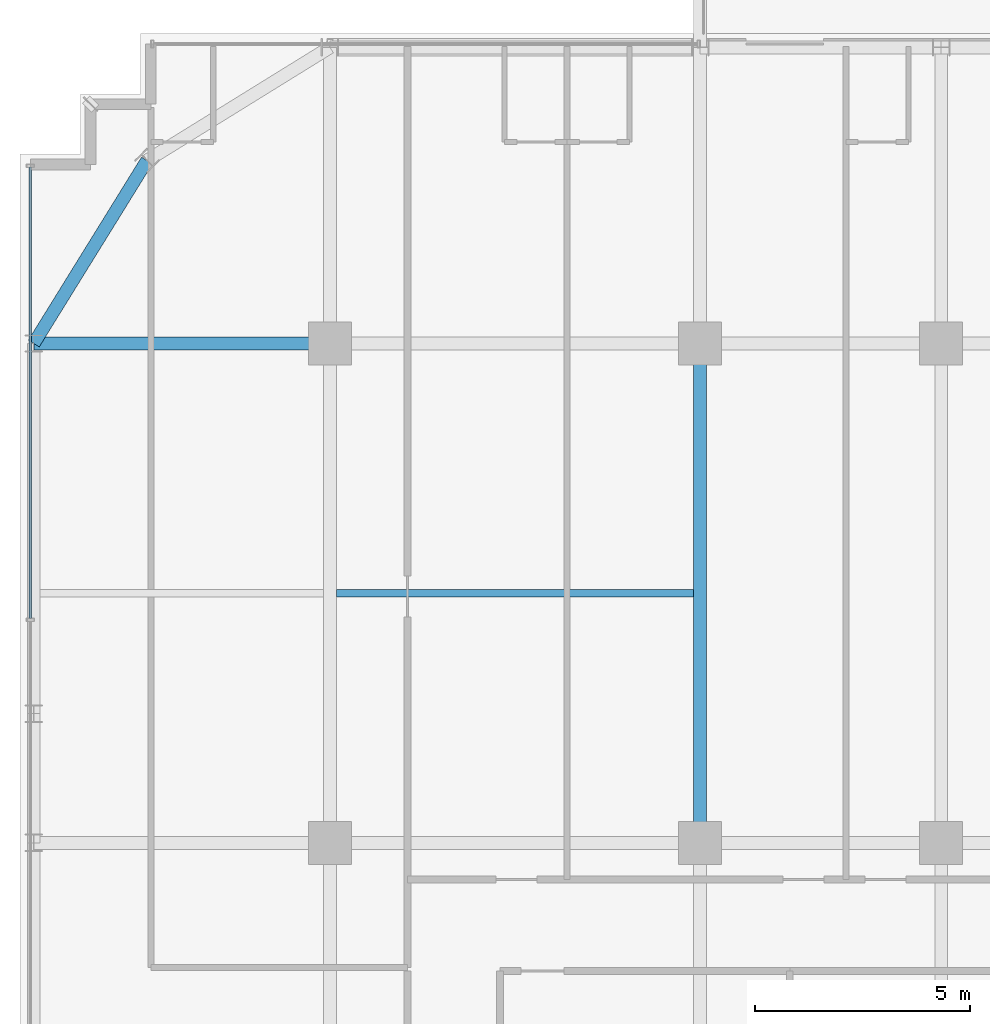
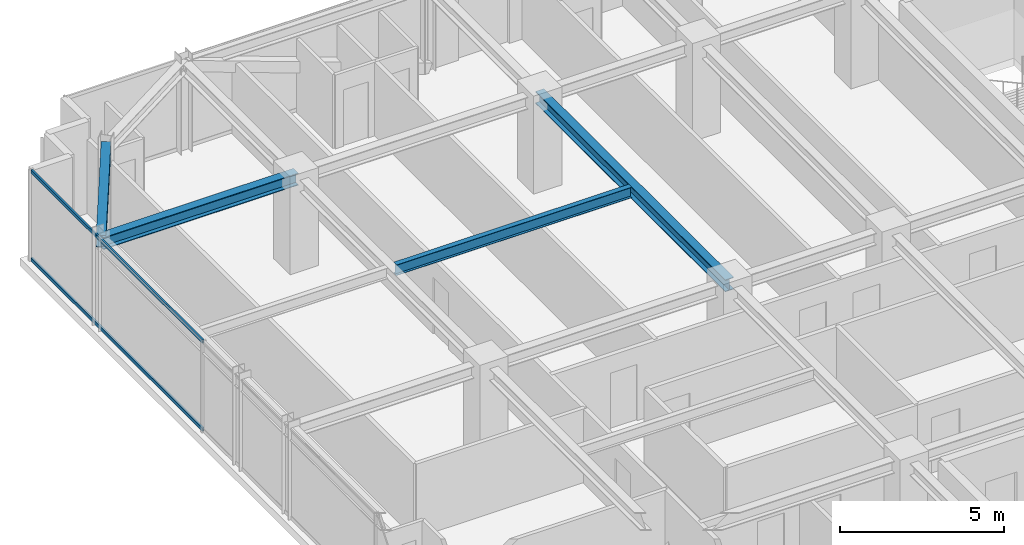
# One storey, part 19 of 43: 4 beams, 2 members, 1 element without a shape of its own.
"""IFC4 building model written with IfcOpenShell, lengths in metres."""

from ifc_helpers import new_model, si_unit, direction, frame, origin, origin_2d, place, context, subcontext, project, spatial, hollow_rectangle, i_section, extrude, source, transform, mapped, material, material_profile, profile_set, type_object, element, aggregate, save


model = new_model("IFC4")

# Units and contexts
model_context = context("Model", 3, precision=1e-05, world=origin(), true_north=direction((0.0, 1.0)))
body_context = subcontext(model_context, "Body", "Model", "MODEL_VIEW")
ifc_project = project(units=[si_unit("LENGTHUNIT", "METRE"), si_unit("AREAUNIT", "SQUARE_METRE"), si_unit("VOLUMEUNIT", "CUBIC_METRE"), si_unit("PLANEANGLEUNIT", "RADIAN"), si_unit("MASSUNIT", "GRAM", prefix="KILO")], contexts=[model_context])

# Site, building, storey
site_placement = place(None, origin())
site = spatial("IfcSite", under=ifc_project, at=site_placement, CompositionType="ELEMENT")
building_placement = place(site_placement, origin())
building = spatial("IfcBuilding", under=site, at=building_placement, Name="Nahalor Promenade Grand Hotel", CompositionType="ELEMENT")
storey_placement = place(building_placement, frame((0.0, 0.0, 204.89990234375)))
storey = spatial("IfcBuildingStorey", under=building, at=storey_placement, Name="L52", CompositionType="ELEMENT", Elevation=204.89990234375)

# Beams
ifc_material_1 = material(Name="Steel S355JR", Category="steel")
ifc_material_profile_1 = material_profile(ifc_material_1, i_section(OverallWidth=0.3, OverallDepth=0.45, WebThickness=0.014, FlangeThickness=0.026, at=origin_2d()), Name="HEB 450")
ifc_profile_set_1 = profile_set([ifc_material_profile_1], Name="Steel S355JR")
beam_type_1 = type_object("IfcBeamType", Name="Beam-Spandrel-HEB450", PredefinedType="SPANDREL", material=ifc_profile_set_1)
shared_shape_1 = source(origin(), body_context, "Body", "SweptSolid", [
    extrude(i_section(OverallWidth=0.3, OverallDepth=0.45, WebThickness=0.014, FlangeThickness=0.026, at=origin_2d()), origin(), (0.0, 0.0, 1.0), 4.997802734375),
])
beam_1_placement = place(storey_placement, frame((-21.25, 21.25, 3.18505859375), z_axis=(-0.526199891161, -0.850360908404, 0.0), x_axis=(0.850360908404, -0.526199891161, 0.0)))
element("IfcBeam", 1, at=beam_1_placement, inside=storey, type_object=beam_type_1, Name="BM-L52-SPC-NW-2", PredefinedType="SPANDREL", context=body_context, shape_type="MappedRepresentation", body=[
    mapped(shared_shape_1, transform((0.0, 0.0, 0.0), scale=1.0)),
])
ifc_material_profile_2 = material_profile(ifc_material_1, i_section(OverallWidth=0.3, OverallDepth=0.45, WebThickness=0.014, FlangeThickness=0.026, at=origin_2d()), Name="HEB 450")
ifc_profile_set_2 = profile_set([ifc_material_profile_2], Name="Steel S355JR")
beam_type_2 = type_object("IfcBeamType", Name="Beam-Girder-HEB450", PredefinedType="BEAM", material=ifc_profile_set_2)
shared_shape_2 = source(origin(), body_context, "Body", "SweptSolid", [
    extrude(i_section(OverallWidth=0.3, OverallDepth=0.45, WebThickness=0.014, FlangeThickness=0.026, at=origin_2d()), origin(), (0.0, 0.0, 1.0), 6.8798828125),
])
beam_2_placement = place(storey_placement, frame((-23.8798828125, 17.0, 3.18505859375), z_axis=(1.0, 0.0, 0.0), x_axis=(0.0, 1.0, 0.0)))
element("IfcBeam", 2, at=beam_2_placement, inside=storey, type_object=beam_type_2, Name="BM-L52-GX-3-0", PredefinedType="BEAM", context=body_context, shape_type="MappedRepresentation", body=[
    mapped(shared_shape_2, transform((0.0, 0.0, 0.0), scale=1.0)),
])
shared_shape_3 = source(origin(), body_context, "Body", "SweptSolid", [
    extrude(i_section(OverallWidth=0.3, OverallDepth=0.45, WebThickness=0.014, FlangeThickness=0.026, at=origin_2d()), origin(), (0.0, 0.0, 1.0), 11.60009765625),
])
beam_3_placement = place(storey_placement, frame((-8.39990234375, 5.39990234375, 3.18505859375), z_axis=(0.0, 1.0, 0.0), x_axis=(-1.0, 0.0, 0.0)))
element("IfcBeam", 3, at=beam_3_placement, inside=storey, type_object=beam_type_2, Name="BM-L52-GY-1-3", PredefinedType="BEAM", context=body_context, shape_type="MappedRepresentation", body=[
    mapped(shared_shape_3, transform((0.0, 0.0, 0.0), scale=1.0)),
])
ifc_material_profile_3 = material_profile(ifc_material_1, i_section(OverallWidth=0.18, OverallDepth=0.4, WebThickness=0.0086, FlangeThickness=0.0135, at=origin_2d()), Name="IPE 400")
ifc_profile_set_3 = profile_set([ifc_material_profile_3], Name="Steel S355JR")
beam_type_3 = type_object("IfcBeamType", Name="Beam-Joist-IPE400", PredefinedType="JOIST", material=ifc_profile_set_3)
shared_shape_4 = source(origin(), body_context, "Body", "SweptSolid", [
    extrude(i_section(OverallWidth=0.18, OverallDepth=0.4, WebThickness=0.0086, FlangeThickness=0.0135, at=origin_2d()), origin(), (0.0, 0.0, 1.0), 8.300048828125),
])
beam_4_placement = place(storey_placement, frame((-16.85009765625, 11.199951171875, 3.210205078125), z_axis=(1.0, 0.0, 0.0), x_axis=(0.0, 1.0, 0.0)))
element("IfcBeam", 4, at=beam_4_placement, inside=storey, type_object=beam_type_3, Name="BM-L52-JSW-1-1", PredefinedType="JOIST", context=body_context, shape_type="MappedRepresentation", body=[
    mapped(shared_shape_4, transform((0.0, 0.0, 0.0), scale=1.0)),
])

# Curtain wall, members
ifc_material_2 = material(Name="Anodised Bronze Aluminium EN AW-6063 T6", Category="aluminium")
curtain_wall_type = type_object("IfcCurtainWallType", Name="CW2 Typical Hotel Flush Bronze Unitised Curtain Wall", PredefinedType="USERDEFINED", material=ifc_material_2)
curtain_wall_placement = place(storey_placement, origin())
curtain_wall = element("IfcCurtainWall", 5, at=curtain_wall_placement, inside=storey, type_object=curtain_wall_type, Name="L52 Curtain Wall CW-L52-W-1", ObjectType="UNITISED_CURTAIN_WALL", PredefinedType="USERDEFINED")
ifc_material_profile_4 = material_profile(ifc_material_2, hollow_rectangle(XDim=0.065, YDim=0.13, WallThickness=0.004, at=origin_2d()), Name="CWT 65x130x4")
ifc_profile_set_4 = profile_set([ifc_material_profile_4], Name="Anodised Bronze Aluminium EN AW-6063 T6")
member_type = type_object("IfcMemberType", Name="CWT2 Typical Bronze Transom 65x130", PredefinedType="USERDEFINED", material=ifc_profile_set_4)
shared_shape_5 = source(origin(), body_context, "Body", "SweptSolid", [
    extrude(hollow_rectangle(XDim=0.065, YDim=0.13, WallThickness=0.004, at=origin_2d()), origin(), (0.0, 0.0, 1.0), 10.482421875),
])
member_1_placement = place(storey_placement, frame((-23.9599609375, 10.612548828125, 0.065185546875), z_axis=(0.0, 1.0, 0.0), x_axis=(-1.0, 0.0, 0.0)))
member_1 = element("IfcMember", 6, at=member_1_placement, type_object=member_type, Name="CW-L52-W-1 Transom 3-0", ObjectType="TRANSOM", PredefinedType="USERDEFINED", context=body_context, shape_type="MappedRepresentation", body=[
    mapped(shared_shape_5, transform((0.0, 0.0, 0.0), scale=1.0)),
])
member_2_placement = place(storey_placement, frame((-23.9599609375, 10.612548828125, 3.34521484375), z_axis=(0.0, 1.0, 0.0), x_axis=(-1.0, 0.0, 0.0)))
member_2 = element("IfcMember", 7, at=member_2_placement, type_object=member_type, Name="CW-L52-W-1 Transom 3-1", ObjectType="TRANSOM", PredefinedType="USERDEFINED", context=body_context, shape_type="MappedRepresentation", body=[
    mapped(shared_shape_5, transform((0.0, 0.0, 0.0), scale=1.0)),
])
aggregate(curtain_wall, [member_1, member_2])

save(model, "model.ifc")
